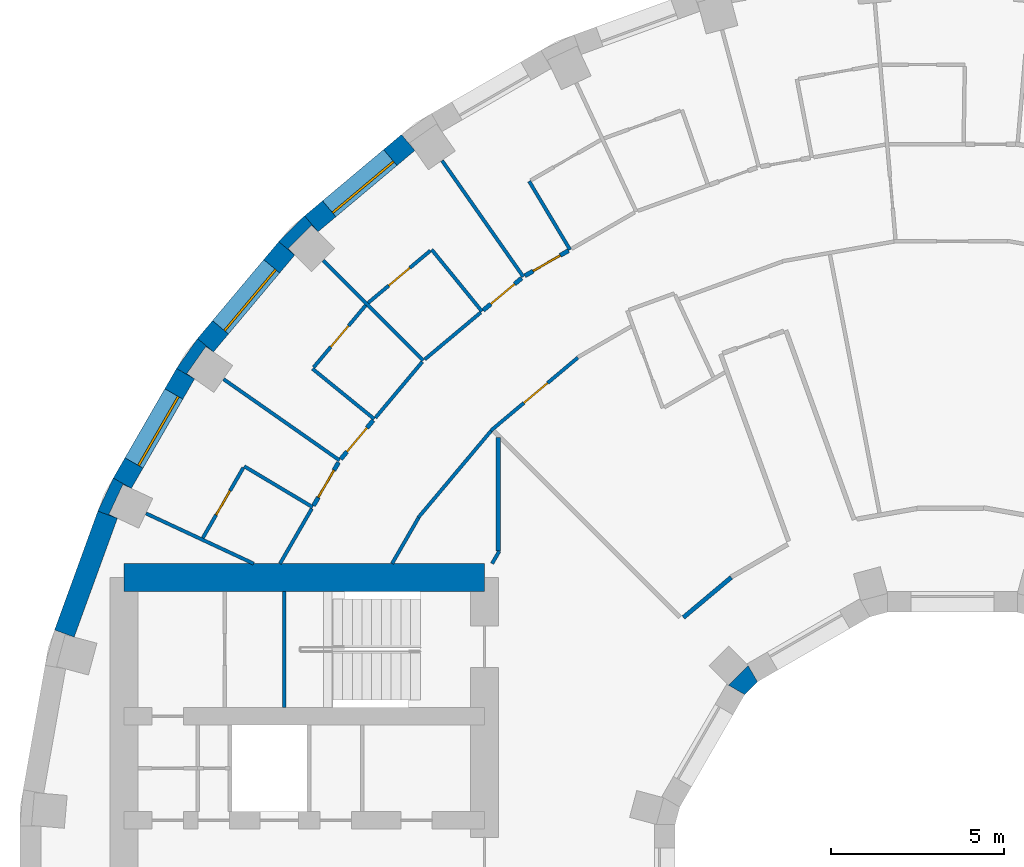
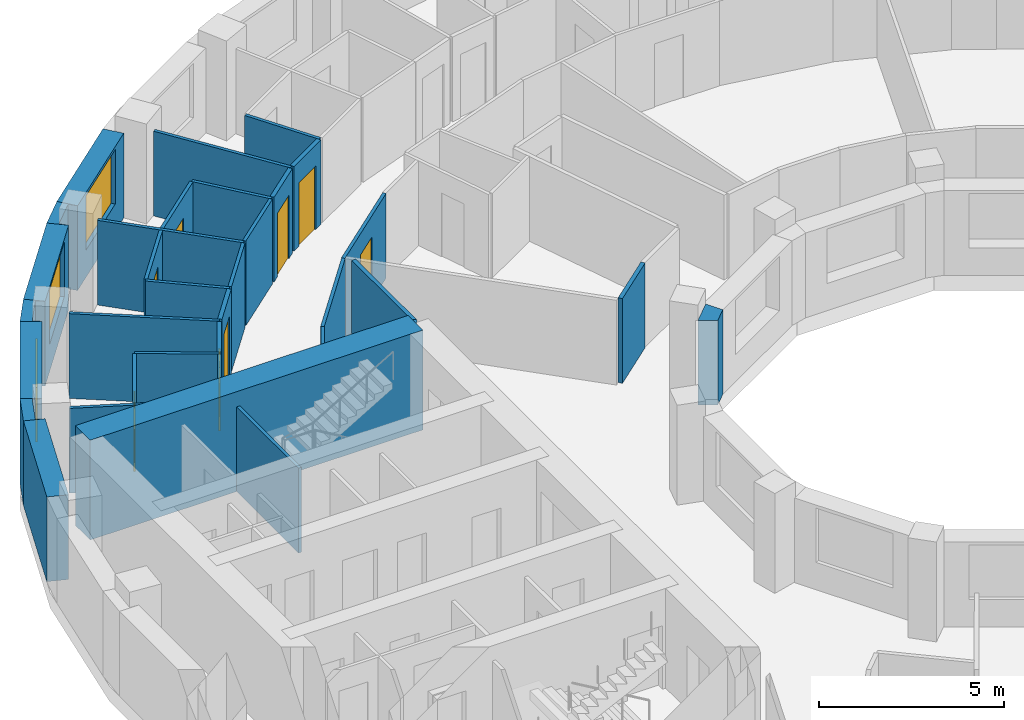
# One storey, part 9 of 14: 34 walls, 8 doors, 3 windows, 11 openings.
"""IFC4 building model written with IfcOpenShell, lengths in metres."""

from ifc_helpers import new_model, si_unit, direction, frame, frame_2d, origin, place, context, subcontext, project, spatial, polyline, rectangle, outline, extrude, material, layer, layer_set, type_object, element, fill, save


model = new_model("IFC4")

# Units and contexts
model_context = context("Model", 3, precision=1e-05, world=origin(), true_north=direction((0.0, 1.0)))
body_context = subcontext(model_context, "Body", "Model", "MODEL_VIEW")
ifc_project = project(units=[si_unit("LENGTHUNIT", "METRE"), si_unit("AREAUNIT", "SQUARE_METRE"), si_unit("VOLUMEUNIT", "CUBIC_METRE"), si_unit("PLANEANGLEUNIT", "RADIAN"), si_unit("MASSUNIT", "GRAM", prefix="KILO")], contexts=[model_context])

# Site, building, storey
site_placement = place(None, origin())
site = spatial("IfcSite", under=ifc_project, at=site_placement, CompositionType="ELEMENT")
building_placement = place(site_placement, origin())
building = spatial("IfcBuilding", under=site, at=building_placement, Name="Saqina Gate Tower", CompositionType="ELEMENT")
storey_placement = place(building_placement, frame((0.0, 0.0, 131.5)))
storey = spatial("IfcBuildingStorey", under=building, at=storey_placement, Name="L37", CompositionType="ELEMENT", Elevation=131.5)

# Walls
ifc_material_1 = material(Name="Brick masonry (buff)", Category="masonry")
wall_type_1 = type_object("IfcWallType", Name="BRICK PIER COPING BUFF", PredefinedType="SOLIDWALL", material=ifc_material_1)
wall_1_placement = place(storey_placement, origin())
element("IfcWall", 1, at=wall_1_placement, inside=storey, type_object=wall_type_1, Name="Pier cap L37 column 14", PredefinedType="SOLIDWALL", context=body_context, shape_type="SweptSolid", body=[
    extrude(outline(polyline([(-18.686279296875, 19.43212890625), (-19.43212890625, 18.686279296875), (-18.972412109375, 18.30078125), (-19.16259765625, 18.49072265625), (-18.49072265625, 19.16259765625), (-18.30078125, 18.972412109375), (-18.686279296875, 19.43212890625)])), origin(), (0.0, 0.0, 1.0), 2.800048828125),
])
wall_2_placement = place(storey_placement, origin())
element("IfcWall", 2, at=wall_2_placement, inside=storey, type_object=wall_type_1, Name="Pier cap L37 column 15", PredefinedType="SOLIDWALL", context=body_context, shape_type="SweptSolid", body=[
    extrude(outline(polyline([(-22.3818359375, 15.0283203125), (-21.862060546875, 14.728271484375), (-22.08251953125, 14.88232421875), (-21.53759765625, 15.66064453125), (-21.317138671875, 15.50634765625), (-21.77685546875, 15.89208984375), (-22.3818359375, 15.0283203125)])), origin(), (0.0, 0.0, 1.0), 2.800048828125),
])
wall_3_placement = place(storey_placement, origin())
element("IfcWall", 3, at=wall_3_placement, inside=storey, type_object=wall_type_1, Name="Pier cap L37 column 16", PredefinedType="SOLIDWALL", context=body_context, shape_type="SweptSolid", body=[
    extrude(outline(polyline([(-24.6513671875, 10.913330078125), (-24.08740234375, 10.7080078125), (-24.331298828125, 10.82177734375), (-23.9296875, 11.6826171875), (-23.68603515625, 11.569091796875), (-24.205810546875, 11.869140625), (-24.6513671875, 10.913330078125)])), origin(), (0.0, 0.0, 1.0), 2.800048828125),
])

# Wall, opening, window
ifc_material_2 = material(Name="Brick masonry (buff)", Category="masonry")
ifc_layer_1 = layer(ifc_material_2, 0.60009765625)
ifc_layer_set_1 = layer_set([ifc_layer_1], Name="FW-BRICK-BUFF")
wall_type_2 = type_object("IfcWallType", Name="FW-BRICK-BUFF", PredefinedType="SOLIDWALL", material=ifc_layer_set_1)
wall_4_placement = place(storey_placement, frame((-15.69921875, 21.547119140625, 0.0), z_axis=(0.0, 0.0, 1.0), x_axis=(-0.766055462616, -0.642774476932, 0.0)))
wall_4 = element("IfcWall", 4, at=wall_4_placement, inside=storey, type_object=wall_type_2, Name="Facade wall L37 facet 13", PredefinedType="SOLIDWALL", context=body_context, shape_type="SweptSolid", body=[
    extrude(rectangle(XDim=3.647705078125, YDim=0.60009765625, at=frame_2d((1.82373046875, 0.0))), origin(), (0.0, 0.0, 1.0), 2.800048828125),
])
opening_1_placement = place(wall_4_placement, frame((0.673828125, 0.0, 0.89990234375)))
opening_1 = element("IfcOpeningElement", 5, at=opening_1_placement, cuts=wall_4, Name="Opening G11-W11", PredefinedType="OPENING", context=body_context, shape_type="SweptSolid", body=[
    extrude(rectangle(XDim=2.300048828125, YDim=1.800048828125, at=frame_2d((1.14990234375, 0.89990234375))), frame((0.0, 0.31201171875, 0.0), z_axis=(0.0, -1.0, 0.0), x_axis=(1.0, 0.0, 0.0)), (0.0, 0.0, 1.0), 0.6240234375),
])
ifc_material_3 = material(Name="Aluminium glazing", Category="aluminium")
window_type = type_object("IfcWindowType", Name="WN-B", PartitioningType="SINGLE_PANEL", PredefinedType="WINDOW", material=ifc_material_3)
window_1_placement = place(opening_1_placement, origin())
window_1 = element("IfcWindow", 6, at=window_1_placement, inside=storey, type_object=window_type, Name="Window L37 facet 13", OverallHeight=1.800048828125, OverallWidth=2.300048828125, PartitioningType="SINGLE_PANEL", PredefinedType="WINDOW", context=body_context, shape_type="SweptSolid", body=[
    extrude(rectangle(XDim=2.300048828125, YDim=1.800048828125, at=frame_2d((1.14990234375, 0.89990234375))), frame((0.0, 0.179931640625, 0.0), z_axis=(0.0, -1.0, 0.0), x_axis=(1.0, 0.0, 0.0)), (0.0, 0.0, 1.0), 0.06005859375),
])
fill(opening_1, window_1)

wall_5_placement = place(storey_placement, frame((-19.202392578125, 18.49365234375, 0.0), z_axis=(0.0, 0.0, 1.0), x_axis=(-0.642774476932, -0.766055462616, 0.0)))
wall_5 = element("IfcWall", 7, at=wall_5_placement, inside=storey, type_object=wall_type_2, Name="Facade wall L37 facet 14", PredefinedType="SOLIDWALL", context=body_context, shape_type="SweptSolid", body=[
    extrude(rectangle(XDim=3.647705078125, YDim=0.60009765625, at=frame_2d((1.82373046875, 0.0))), origin(), (0.0, 0.0, 1.0), 2.800048828125),
])
opening_2_placement = place(wall_5_placement, frame((0.673828125, 0.0, 0.89990234375)))
opening_2 = element("IfcOpeningElement", 8, at=opening_2_placement, cuts=wall_5, Name="Opening G11-W12", PredefinedType="OPENING", context=body_context, shape_type="SweptSolid", body=[
    extrude(rectangle(XDim=2.300048828125, YDim=1.800048828125, at=frame_2d((1.14990234375, 0.89990234375))), frame((0.0, 0.31201171875, 0.0), z_axis=(0.0, -1.0, 0.0), x_axis=(1.0, 0.0, 0.0)), (0.0, 0.0, 1.0), 0.6240234375),
])
window_2_placement = place(opening_2_placement, origin())
window_2 = element("IfcWindow", 9, at=window_2_placement, inside=storey, type_object=window_type, Name="Window L37 facet 14", OverallHeight=1.800048828125, OverallWidth=2.300048828125, PartitioningType="SINGLE_PANEL", PredefinedType="WINDOW", context=body_context, shape_type="SweptSolid", body=[
    extrude(rectangle(XDim=2.300048828125, YDim=1.800048828125, at=frame_2d((1.14990234375, 0.89990234375))), frame((0.0, 0.179931640625, 0.0), z_axis=(0.0, -1.0, 0.0), x_axis=(1.0, 0.0, 0.0)), (0.0, 0.0, 1.0), 0.06005859375),
])
fill(opening_2, window_2)

wall_6_placement = place(storey_placement, frame((-22.1220703125, 14.878173828125, 0.0), z_axis=(0.0, 0.0, 1.0), x_axis=(-0.499954196102, -0.866051847062, 0.0)))
wall_6 = element("IfcWall", 10, at=wall_6_placement, inside=storey, type_object=wall_type_2, Name="Facade wall L37 facet 15", PredefinedType="SOLIDWALL", context=body_context, shape_type="SweptSolid", body=[
    extrude(rectangle(XDim=3.647705078125, YDim=0.60009765625, at=frame_2d((1.82373046875, 0.0))), origin(), (0.0, 0.0, 1.0), 2.800048828125),
])
opening_3_placement = place(wall_6_placement, frame((0.673828125, 0.0, 0.89990234375)))
opening_3 = element("IfcOpeningElement", 11, at=opening_3_placement, cuts=wall_6, Name="Opening G11-W13", PredefinedType="OPENING", context=body_context, shape_type="SweptSolid", body=[
    extrude(rectangle(XDim=2.300048828125, YDim=1.800048828125, at=frame_2d((1.14990234375, 0.89990234375))), frame((0.0, 0.31201171875, 0.0), z_axis=(0.0, -1.0, 0.0), x_axis=(1.0, 0.0, 0.0)), (0.0, 0.0, 1.0), 0.6240234375),
])
window_3_placement = place(opening_3_placement, origin())
window_3 = element("IfcWindow", 12, at=window_3_placement, inside=storey, type_object=window_type, Name="Window L37 facet 15", OverallHeight=1.800048828125, OverallWidth=2.300048828125, PartitioningType="SINGLE_PANEL", PredefinedType="WINDOW", context=body_context, shape_type="SweptSolid", body=[
    extrude(rectangle(XDim=2.300048828125, YDim=1.800048828125, at=frame_2d((1.14990234375, 0.89990234375))), frame((0.0, 0.179931640625, 0.0), z_axis=(0.0, -1.0, 0.0), x_axis=(1.0, 0.0, 0.0)), (0.0, 0.0, 1.0), 0.06005859375),
])
fill(opening_3, window_3)

# Walls
ifc_material_4 = material(Name="Glazed ceramic tile", Category="ceramic")
ifc_layer_2 = layer(ifc_material_4, 0.60009765625)
ifc_layer_set_2 = layer_set([ifc_layer_2], Name="FW-TILE")
wall_type_3 = type_object("IfcWallType", Name="FW-TILE", PredefinedType="SOLIDWALL", material=ifc_layer_set_2)
wall_7_placement = place(storey_placement, frame((-24.369384765625, 10.810791015625, 0.0), z_axis=(0.0, 0.0, 1.0), x_axis=(-0.341990236633, -0.939703505393, 0.0)))
element("IfcWall", 13, at=wall_7_placement, inside=storey, type_object=wall_type_3, Name="Facade wall L37 facet 16", PredefinedType="SOLIDWALL", context=body_context, shape_type="SweptSolid", body=[
    extrude(rectangle(XDim=3.64794921875, YDim=0.60009765625, at=frame_2d((1.823974609375, 0.0))), origin(), (0.0, 0.0, 1.0), 2.800048828125),
])
ifc_material_5 = material(Name="Gypsum board on steel studs, 100 mm", Category="steel")
ifc_layer_3 = layer(ifc_material_5, 0.10009765625)
ifc_layer_set_3 = layer_set([ifc_layer_3], Name="PARTITION 100")
wall_type_4 = type_object("IfcWallType", Name="PARTITION 100", PredefinedType="PARTITIONING", material=ifc_layer_set_3)
wall_8_placement = place(storey_placement, frame((-12.208984375, 20.429931640625, 0.0), z_axis=(0.0, 0.0, 1.0), x_axis=(0.512902991174, -0.858446574718, 0.0)))
element("IfcWall", 14, at=wall_8_placement, inside=storey, type_object=wall_type_4, Name="PARTITION PW3-17", PredefinedType="PARTITIONING", context=body_context, shape_type="SweptSolid", body=[
    extrude(rectangle(XDim=2.300537109375, YDim=0.10009765625, at=frame_2d((1.150390625, 0.0))), origin(), (0.0, 0.0, 1.0), 2.800048828125),
])
wall_9_placement = place(storey_placement, frame((-14.720703125, 21.023681640625, 0.0), z_axis=(0.0, 0.0, 1.0), x_axis=(0.573638785945, -0.819108383097, 0.0)))
element("IfcWall", 15, at=wall_9_placement, inside=storey, type_object=wall_type_4, Name="PARTITION PW3-18", PredefinedType="PARTITIONING", context=body_context, shape_type="SweptSolid", body=[
    extrude(rectangle(XDim=4.085693359375, YDim=0.10009765625, at=frame_2d((2.04296875, 0.0))), origin(), (0.0, 0.0, 1.0), 2.800048828125),
])
wall_10_placement = place(storey_placement, frame((-15.02197265625, 18.4599609375, 0.0), z_axis=(0.0, 0.0, 1.0), x_axis=(0.6312357633, -0.775591007639, 0.0)))
element("IfcWall", 16, at=wall_10_placement, inside=storey, type_object=wall_type_4, Name="PARTITION PW3-19", PredefinedType="PARTITIONING", context=body_context, shape_type="SweptSolid", body=[
    extrude(rectangle(XDim=2.300048828125, YDim=0.10009765625, at=frame_2d((1.14990234375, 0.0))), origin(), (0.0, 0.0, 1.0), 2.800048828125),
])
wall_11_placement = place(storey_placement, frame((-18.14794921875, 18.14794921875, 0.0), z_axis=(0.0, 0.0, 1.0), x_axis=(0.707106781187, -0.707106781187, 0.0)))
element("IfcWall", 17, at=wall_11_placement, inside=storey, type_object=wall_type_4, Name="PARTITION PW3-21", PredefinedType="PARTITIONING", context=body_context, shape_type="SweptSolid", body=[
    extrude(rectangle(XDim=4.08544921875, YDim=0.10009765625, at=frame_2d((2.042724609375, 0.0))), origin(), (0.0, 0.0, 1.0), 2.800048828125),
])
wall_12_placement = place(storey_placement, frame((-18.4599609375, 15.02197265625, 0.0), z_axis=(0.0, 0.0, 1.0), x_axis=(0.775591007639, -0.6312357633, 0.0)))
element("IfcWall", 18, at=wall_12_placement, inside=storey, type_object=wall_type_4, Name="PARTITION PW3-24", PredefinedType="PARTITIONING", context=body_context, shape_type="SweptSolid", body=[
    extrude(rectangle(XDim=2.300048828125, YDim=0.10009765625, at=frame_2d((1.14990234375, 0.0))), origin(), (0.0, 0.0, 1.0), 2.800048828125),
])
wall_13_placement = place(storey_placement, frame((-21.023681640625, 14.720703125, 0.0), z_axis=(0.0, 0.0, 1.0), x_axis=(0.819108383097, -0.573638785945, 0.0)))
element("IfcWall", 19, at=wall_13_placement, inside=storey, type_object=wall_type_4, Name="PARTITION PW3-25", PredefinedType="PARTITIONING", context=body_context, shape_type="SweptSolid", body=[
    extrude(rectangle(XDim=4.085693359375, YDim=0.10009765625, at=frame_2d((2.04296875, 0.0))), origin(), (0.0, 0.0, 1.0), 2.800048828125),
])
wall_14_placement = place(storey_placement, frame((-20.429931640625, 12.208984375, 0.0), z_axis=(0.0, 0.0, 1.0), x_axis=(0.858446574718, -0.512902991174, 0.0)))
element("IfcWall", 20, at=wall_14_placement, inside=storey, type_object=wall_type_4, Name="PARTITION PW3-26", PredefinedType="PARTITIONING", context=body_context, shape_type="SweptSolid", body=[
    extrude(rectangle(XDim=2.300537109375, YDim=0.10009765625, at=frame_2d((1.150390625, 0.0))), origin(), (0.0, 0.0, 1.0), 2.800048828125),
])
wall_15_placement = place(storey_placement, frame((-23.260009765625, 10.84716796875, 0.0), z_axis=(0.0, 0.0, 1.0), x_axis=(0.906223222272, -0.422799564114, 0.0)))
element("IfcWall", 21, at=wall_15_placement, inside=storey, type_object=wall_type_4, Name="PARTITION PW3-28", PredefinedType="PARTITIONING", context=body_context, shape_type="SweptSolid", body=[
    extrude(rectangle(XDim=3.423095703125, YDim=0.10009765625, at=frame_2d((1.71142578125, 0.0))), origin(), (0.0, 0.0, 1.0), 2.800048828125),
])

# Wall, opening, door
wall_16_placement = place(storey_placement, frame((-13.310791015625, 13.2392578125, 0.0), z_axis=(0.0, 0.0, 1.0), x_axis=(0.76586207823, 0.643004881109, 0.0)))
wall_16 = element("IfcWall", 22, at=wall_16_placement, inside=storey, type_object=wall_type_4, Name="PARTITION PW3-64", PredefinedType="PARTITIONING", context=body_context, shape_type="SweptSolid", body=[
    extrude(rectangle(XDim=3.27294921875, YDim=0.10009765625, at=frame_2d((1.636474609375, 0.0))), origin(), (0.0, 0.0, 1.0), 2.800048828125),
])
opening_4_placement = place(wall_16_placement, frame((1.23681640625, 0.0, 0.0)))
opening_4 = element("IfcOpeningElement", 23, at=opening_4_placement, cuts=wall_16, Name="Opening G11-D21", PredefinedType="OPENING", context=body_context, shape_type="SweptSolid", body=[
    extrude(rectangle(XDim=0.89990234375, YDim=2.10009765625, at=frame_2d((0.449951171875, 1.050048828125))), frame((0.0, 0.06201171875, 0.0), z_axis=(0.0, -1.0, 0.0), x_axis=(1.0, 0.0, 0.0)), (0.0, 0.0, 1.0), 0.1240234375),
])
ifc_material_6 = material(Name="Timber door leaf, 900 mm", Category="wood")
door_type_1 = type_object("IfcDoorType", Name="DOOR 900 TIMBER", OperationType="SINGLE_SWING_LEFT", PredefinedType="DOOR", material=ifc_material_6)
door_1_placement = place(opening_4_placement, frame((0.89990234375, 0.0, 0.0), z_axis=(0.0, 0.0, 1.0), x_axis=(-1.0, 0.0, 0.0)))
door_1 = element("IfcDoor", 24, at=door_1_placement, inside=storey, type_object=door_type_1, Name="DOOR G11-D21", OperationType="SINGLE_SWING_LEFT", OverallHeight=2.10009765625, OverallWidth=0.89990234375, PredefinedType="DOOR", context=body_context, shape_type="SweptSolid", body=[
    extrude(rectangle(XDim=0.89990234375, YDim=2.10009765625, at=frame_2d((0.449951171875, 1.050048828125))), frame((0.0, 0.02490234375, 0.0), z_axis=(0.0, -1.0, 0.0), x_axis=(1.0, 0.0, 0.0)), (0.0, 0.0, 1.0), 0.050048828125),
])
fill(opening_4, door_1)

# Wall
wall_17_placement = place(storey_placement, frame((-15.2197265625, 15.2919921875, 0.0), z_axis=(0.0, 0.0, 1.0), x_axis=(0.766104886508, 0.642715569181, 0.0)))
element("IfcWall", 25, at=wall_17_placement, inside=storey, type_object=wall_type_4, Name="PARTITION PW3-65", PredefinedType="PARTITIONING", context=body_context, shape_type="SweptSolid", body=[
    extrude(rectangle(XDim=2.103271484375, YDim=0.10009765625, at=frame_2d((1.0517578125, 0.0))), origin(), (0.0, 0.0, 1.0), 2.800048828125),
])

# Wall, opening, door
wall_18_placement = place(storey_placement, frame((-16.852783203125, 16.923095703125, 0.0), z_axis=(0.0, 0.0, 1.0), x_axis=(0.765924716163, 0.642930267735, 0.0)))
wall_18 = element("IfcWall", 26, at=wall_18_placement, inside=storey, type_object=wall_type_4, Name="PARTITION PW3-66", PredefinedType="PARTITIONING", context=body_context, shape_type="SweptSolid", body=[
    extrude(rectangle(XDim=2.34033203125, YDim=0.10009765625, at=frame_2d((1.170166015625, 0.0))), origin(), (0.0, 0.0, 1.0), 2.800048828125),
])
opening_5_placement = place(wall_18_placement, frame((0.77001953125, 0.0, 0.0)))
opening_5 = element("IfcOpeningElement", 27, at=opening_5_placement, cuts=wall_18, Name="Opening G11-D22", PredefinedType="OPENING", context=body_context, shape_type="SweptSolid", body=[
    extrude(rectangle(XDim=0.800048828125, YDim=2.10009765625, at=frame_2d((0.39990234375, 1.050048828125))), frame((0.0, 0.06201171875, 0.0), z_axis=(0.0, -1.0, 0.0), x_axis=(1.0, 0.0, 0.0)), (0.0, 0.0, 1.0), 0.1240234375),
])
ifc_material_7 = material(Name="Timber door leaf, 800 mm", Category="wood")
door_type_2 = type_object("IfcDoorType", Name="DOOR 800 TIMBER", OperationType="SINGLE_SWING_LEFT", PredefinedType="DOOR", material=ifc_material_7)
door_2_placement = place(opening_5_placement, origin())
door_2 = element("IfcDoor", 28, at=door_2_placement, inside=storey, type_object=door_type_2, Name="DOOR G11-D22", OperationType="SINGLE_SWING_LEFT", OverallHeight=2.10009765625, OverallWidth=0.800048828125, PredefinedType="DOOR", context=body_context, shape_type="SweptSolid", body=[
    extrude(rectangle(XDim=0.800048828125, YDim=2.10009765625, at=frame_2d((0.39990234375, 1.050048828125))), frame((0.0, 0.02490234375, 0.0), z_axis=(0.0, -1.0, 0.0), x_axis=(1.0, 0.0, 0.0)), (0.0, 0.0, 1.0), 0.050048828125),
])
fill(opening_5, door_2)

# Walls
wall_19_placement = place(storey_placement, frame((-15.40869140625, 10.72705078125, 0.0), z_axis=(0.0, 0.0, 1.0), x_axis=(0.643004881109, 0.76586207823, 0.0)))
element("IfcWall", 29, at=wall_19_placement, inside=storey, type_object=wall_type_4, Name="PARTITION PW3-69", PredefinedType="PARTITIONING", context=body_context, shape_type="SweptSolid", body=[
    extrude(rectangle(XDim=3.27294921875, YDim=0.10009765625, at=frame_2d((1.636474609375, 0.0))), origin(), (0.0, 0.0, 1.0), 2.800048828125),
])
wall_20_placement = place(storey_placement, frame((-16.643798828125, 13.6083984375, 0.0), z_axis=(0.0, 0.0, 1.0), x_axis=(0.642715569181, 0.766104886508, 0.0)))
element("IfcWall", 30, at=wall_20_placement, inside=storey, type_object=wall_type_4, Name="PARTITION PW3-70", PredefinedType="PARTITIONING", context=body_context, shape_type="SweptSolid", body=[
    extrude(rectangle(XDim=2.103271484375, YDim=0.10009765625, at=frame_2d((1.0517578125, 0.0))), origin(), (0.0, 0.0, 1.0), 2.800048828125),
])

# Wall, opening, door
wall_21_placement = place(storey_placement, frame((-18.427734375, 15.060302734375, 0.0), z_axis=(0.0, 0.0, 1.0), x_axis=(0.642930267735, 0.765924716163, 0.0)))
wall_21 = element("IfcWall", 31, at=wall_21_placement, inside=storey, type_object=wall_type_4, Name="PARTITION PW3-71", PredefinedType="PARTITIONING", context=body_context, shape_type="SweptSolid", body=[
    extrude(rectangle(XDim=2.34033203125, YDim=0.10009765625, at=frame_2d((1.170166015625, 0.0))), origin(), (0.0, 0.0, 1.0), 2.800048828125),
])
opening_6_placement = place(wall_21_placement, frame((0.77001953125, 0.0, 0.0)))
opening_6 = element("IfcOpeningElement", 32, at=opening_6_placement, cuts=wall_21, Name="Opening G11-D23", PredefinedType="OPENING", context=body_context, shape_type="SweptSolid", body=[
    extrude(rectangle(XDim=0.800048828125, YDim=2.10009765625, at=frame_2d((0.39990234375, 1.050048828125))), frame((0.0, 0.06201171875, 0.0), z_axis=(0.0, -1.0, 0.0), x_axis=(1.0, 0.0, 0.0)), (0.0, 0.0, 1.0), 0.1240234375),
])
door_3_placement = place(opening_6_placement, origin())
door_3 = element("IfcDoor", 33, at=door_3_placement, inside=storey, type_object=door_type_2, Name="DOOR G11-D23", OperationType="SINGLE_SWING_LEFT", OverallHeight=2.10009765625, OverallWidth=0.800048828125, PredefinedType="DOOR", context=body_context, shape_type="SweptSolid", body=[
    extrude(rectangle(XDim=0.800048828125, YDim=2.10009765625, at=frame_2d((0.39990234375, 1.050048828125))), frame((0.0, 0.02490234375, 0.0), z_axis=(0.0, -1.0, 0.0), x_axis=(1.0, 0.0, 0.0)), (0.0, 0.0, 1.0), 0.050048828125),
])
fill(opening_6, door_3)

# Walls
wall_22_placement = place(storey_placement, frame((-16.1640625, 9.39990234375, 0.0), z_axis=(0.0, 0.0, 1.0), x_axis=(0.499750133086, 0.866169616461, 0.0)))
element("IfcWall", 34, at=wall_22_placement, inside=storey, type_object=wall_type_4, Name="PARTITION PW3-75", PredefinedType="PARTITIONING", context=body_context, shape_type="SweptSolid", body=[
    extrude(rectangle(XDim=1.527099609375, YDim=0.10009765625, at=frame_2d((0.763671875, 0.0))), origin(), (0.0, 0.0, 1.0), 2.800048828125),
])
wall_23_placement = place(storey_placement, frame((-19.39599609375, 9.39990234375, 0.0), z_axis=(0.0, 0.0, 1.0), x_axis=(0.500210961829, 0.865903570651, 0.0)))
element("IfcWall", 35, at=wall_23_placement, inside=storey, type_object=wall_type_4, Name="PARTITION PW3-76", PredefinedType="PARTITIONING", context=body_context, shape_type="SweptSolid", body=[
    extrude(rectangle(XDim=1.831298828125, YDim=0.10009765625, at=frame_2d((0.91552734375, 0.0))), origin(), (0.0, 0.0, 1.0), 2.800048828125),
])

# Wall, opening, door
wall_24_placement = place(storey_placement, frame((-21.625, 10.139404296875, 0.0), z_axis=(0.0, 0.0, 1.0), x_axis=(0.499999433879, 0.866025730634, 0.0)))
wall_24 = element("IfcWall", 36, at=wall_24_placement, inside=storey, type_object=wall_type_4, Name="PARTITION PW3-77", PredefinedType="PARTITIONING", context=body_context, shape_type="SweptSolid", body=[
    extrude(rectangle(XDim=2.33984375, YDim=0.10009765625, at=frame_2d((1.169921875, 0.0))), origin(), (0.0, 0.0, 1.0), 2.800048828125),
])
opening_7_placement = place(wall_24_placement, frame((0.77001953125, 0.0, 0.0)))
opening_7 = element("IfcOpeningElement", 37, at=opening_7_placement, cuts=wall_24, Name="Opening G11-D26", PredefinedType="OPENING", context=body_context, shape_type="SweptSolid", body=[
    extrude(rectangle(XDim=0.800048828125, YDim=2.10009765625, at=frame_2d((0.39990234375, 1.050048828125))), frame((0.0, 0.06201171875, 0.0), z_axis=(0.0, -1.0, 0.0), x_axis=(1.0, 0.0, 0.0)), (0.0, 0.0, 1.0), 0.1240234375),
])
door_4_placement = place(opening_7_placement, origin())
door_4 = element("IfcDoor", 38, at=door_4_placement, inside=storey, type_object=door_type_2, Name="DOOR G11-D26", OperationType="SINGLE_SWING_RIGHT", OverallHeight=2.10009765625, OverallWidth=0.800048828125, PredefinedType="DOOR", context=body_context, shape_type="SweptSolid", body=[
    extrude(rectangle(XDim=0.800048828125, YDim=2.10009765625, at=frame_2d((0.39990234375, 1.050048828125))), frame((0.0, 0.02490234375, 0.0), z_axis=(0.0, -1.0, 0.0), x_axis=(1.0, 0.0, 0.0)), (0.0, 0.0, 1.0), 0.050048828125),
])
fill(opening_7, door_4)

# Wall
wall_25_placement = place(storey_placement, frame((-13.278076171875, 9.40087890625, 0.0), z_axis=(0.0, 0.0, 1.0), x_axis=(0.498991260101, 0.866607017248, 0.0)))
element("IfcWall", 39, at=wall_25_placement, inside=storey, type_object=wall_type_4, Name="PARTITION PW3-78", PredefinedType="PARTITIONING", context=body_context, shape_type="SweptSolid", body=[
    extrude(rectangle(XDim=0.414306640625, YDim=0.10009765625, at=frame_2d((0.20703125, 0.0))), origin(), (0.0, 0.0, 1.0), 2.800048828125),
])

# Wall, opening, door
ifc_material_8 = material(Name="Gypsum board on steel studs, 125 mm, fire rated", Category="steel")
ifc_layer_4 = layer(ifc_material_8, 0.125)
ifc_layer_set_4 = layer_set([ifc_layer_4], Name="PARTITION EI 30 125")
wall_type_5 = type_object("IfcWallType", Name="PARTITION EI 30 125", PredefinedType="PARTITIONING", material=ifc_layer_set_4)
wall_26_placement = place(storey_placement, frame((-12.333740234375, 17.701904296875, 0.0), z_axis=(0.0, 0.0, 1.0), x_axis=(0.866110229381, 0.499853048967, 0.0)))
wall_26 = element("IfcWall", 40, at=wall_26_placement, inside=storey, type_object=wall_type_5, Name="PARTITION PW1-33", PredefinedType="PARTITIONING", context=body_context, shape_type="SweptSolid", body=[
    extrude(rectangle(XDim=1.45654296875, YDim=0.125, at=frame_2d((0.728271484375, 0.0))), origin(), (0.0, 0.0, 1.0), 2.800048828125),
])
opening_8_placement = place(wall_26_placement, frame((0.2783203125, 0.0, 0.0)))
opening_8 = element("IfcOpeningElement", 41, at=opening_8_placement, cuts=wall_26, Name="Opening G11-D19", PredefinedType="OPENING", context=body_context, shape_type="SweptSolid", body=[
    extrude(rectangle(XDim=0.89990234375, YDim=2.10009765625, at=frame_2d((0.449951171875, 1.050048828125))), frame((0.0, 0.074462890625, 0.0), z_axis=(0.0, -1.0, 0.0), x_axis=(1.0, 0.0, 0.0)), (0.0, 0.0, 1.0), 0.14892578125),
])
ifc_material_9 = material(Name="Fire door leaf EI 30, 900 mm")
door_type_3 = type_object("IfcDoorType", Name="DOOR 900 EI 30", OperationType="SINGLE_SWING_LEFT", PredefinedType="DOOR", material=ifc_material_9)
door_5_placement = place(opening_8_placement, frame((0.89990234375, 0.0, 0.0), z_axis=(0.0, 0.0, 1.0), x_axis=(-1.0, 0.0, 0.0)))
door_5 = element("IfcDoor", 42, at=door_5_placement, inside=storey, type_object=door_type_3, Name="DOOR G11-D19", OperationType="SINGLE_SWING_RIGHT", OverallHeight=2.10009765625, OverallWidth=0.89990234375, PredefinedType="DOOR", context=body_context, shape_type="SweptSolid", body=[
    extrude(rectangle(XDim=0.89990234375, YDim=2.10009765625, at=frame_2d((0.449951171875, 1.050048828125))), frame((0.0, 0.02490234375, 0.0), z_axis=(0.0, -1.0, 0.0), x_axis=(1.0, 0.0, 0.0)), (0.0, 0.0, 1.0), 0.050048828125),
])
fill(opening_8, door_5)

# Wall
wall_27_placement = place(storey_placement, frame((-7.759033203125, 7.84619140625, 0.0), z_axis=(0.0, 0.0, 1.0), x_axis=(0.766228152444, 0.64256860988, 0.0)))
element("IfcWall", 43, at=wall_27_placement, inside=storey, type_object=wall_type_5, Name="PARTITION PW1-35", PredefinedType="PARTITIONING", context=body_context, shape_type="SweptSolid", body=[
    extrude(rectangle(XDim=1.800537109375, YDim=0.125, at=frame_2d((0.900390625, 0.0))), origin(), (0.0, 0.0, 1.0), 2.800048828125),
])

# Wall, opening, door
wall_28_placement = place(storey_placement, frame((-13.53173828125, 16.708251953125, 0.0), z_axis=(0.0, 0.0, 1.0), x_axis=(0.766167387458, 0.642641061866, 0.0)))
wall_28 = element("IfcWall", 44, at=wall_28_placement, inside=storey, type_object=wall_type_5, Name="PARTITION PW1-36", PredefinedType="PARTITIONING", context=body_context, shape_type="SweptSolid", body=[
    extrude(rectangle(XDim=1.44482421875, YDim=0.125, at=frame_2d((0.722412109375, 0.0))), origin(), (0.0, 0.0, 1.0), 2.800048828125),
])
opening_9_placement = place(wall_28_placement, frame((0.27880859375, 0.0, 0.0)))
opening_9 = element("IfcOpeningElement", 45, at=opening_9_placement, cuts=wall_28, Name="Opening G11-D20", PredefinedType="OPENING", context=body_context, shape_type="SweptSolid", body=[
    extrude(rectangle(XDim=0.89990234375, YDim=2.10009765625, at=frame_2d((0.449951171875, 1.050048828125))), frame((0.0, 0.074462890625, 0.0), z_axis=(0.0, -1.0, 0.0), x_axis=(1.0, 0.0, 0.0)), (0.0, 0.0, 1.0), 0.14892578125),
])
door_6_placement = place(opening_9_placement, frame((0.89990234375, 0.0, 0.0), z_axis=(0.0, 0.0, 1.0), x_axis=(-1.0, 0.0, 0.0)))
door_6 = element("IfcDoor", 46, at=door_6_placement, inside=storey, type_object=door_type_3, Name="DOOR G11-D20", OperationType="SINGLE_SWING_LEFT", OverallHeight=2.10009765625, OverallWidth=0.89990234375, PredefinedType="DOOR", context=body_context, shape_type="SweptSolid", body=[
    extrude(rectangle(XDim=0.89990234375, YDim=2.10009765625, at=frame_2d((0.449951171875, 1.050048828125))), frame((0.0, 0.02490234375, 0.0), z_axis=(0.0, -1.0, 0.0), x_axis=(1.0, 0.0, 0.0)), (0.0, 0.0, 1.0), 0.050048828125),
])
fill(opening_9, door_6)

wall_29_placement = place(storey_placement, frame((-17.644775390625, 12.415283203125, 0.0), z_axis=(0.0, 0.0, 1.0), x_axis=(0.642669367872, 0.766143644233, 0.0)))
wall_29 = element("IfcWall", 47, at=wall_29_placement, inside=storey, type_object=wall_type_5, Name="PARTITION PW1-39", PredefinedType="PARTITIONING", context=body_context, shape_type="SweptSolid", body=[
    extrude(rectangle(XDim=1.457275390625, YDim=0.125, at=frame_2d((0.728515625, 0.0))), origin(), (0.0, 0.0, 1.0), 2.800048828125),
])
opening_10_placement = place(wall_29_placement, frame((0.27880859375, 0.0, 0.0)))
opening_10 = element("IfcOpeningElement", 48, at=opening_10_placement, cuts=wall_29, Name="Opening G11-D24", PredefinedType="OPENING", context=body_context, shape_type="SweptSolid", body=[
    extrude(rectangle(XDim=0.89990234375, YDim=2.10009765625, at=frame_2d((0.449951171875, 1.050048828125))), frame((0.0, 0.074462890625, 0.0), z_axis=(0.0, -1.0, 0.0), x_axis=(1.0, 0.0, 0.0)), (0.0, 0.0, 1.0), 0.14892578125),
])
door_7_placement = place(opening_10_placement, frame((0.89990234375, 0.0, 0.0), z_axis=(0.0, 0.0, 1.0), x_axis=(-1.0, 0.0, 0.0)))
door_7 = element("IfcDoor", 49, at=door_7_placement, inside=storey, type_object=door_type_3, Name="DOOR G11-D24", OperationType="SINGLE_SWING_RIGHT", OverallHeight=2.10009765625, OverallWidth=0.89990234375, PredefinedType="DOOR", context=body_context, shape_type="SweptSolid", body=[
    extrude(rectangle(XDim=0.89990234375, YDim=2.10009765625, at=frame_2d((0.449951171875, 1.050048828125))), frame((0.0, 0.02490234375, 0.0), z_axis=(0.0, -1.0, 0.0), x_axis=(1.0, 0.0, 0.0)), (0.0, 0.0, 1.0), 0.050048828125),
])
fill(opening_10, door_7)

wall_30_placement = place(storey_placement, frame((-18.429931640625, 11.072265625, 0.0), z_axis=(0.0, 0.0, 1.0), x_axis=(0.499849317439, 0.866112382925, 0.0)))
wall_30 = element("IfcWall", 50, at=wall_30_placement, inside=storey, type_object=wall_type_5, Name="PARTITION PW1-42", PredefinedType="PARTITIONING", context=body_context, shape_type="SweptSolid", body=[
    extrude(rectangle(XDim=1.44384765625, YDim=0.125, at=frame_2d((0.721923828125, 0.0))), origin(), (0.0, 0.0, 1.0), 2.800048828125),
])
opening_11_placement = place(wall_30_placement, frame((0.2783203125, 0.0, 0.0)))
opening_11 = element("IfcOpeningElement", 51, at=opening_11_placement, cuts=wall_30, Name="Opening G11-D25", PredefinedType="OPENING", context=body_context, shape_type="SweptSolid", body=[
    extrude(rectangle(XDim=0.89990234375, YDim=2.10009765625, at=frame_2d((0.449951171875, 1.050048828125))), frame((0.0, 0.074462890625, 0.0), z_axis=(0.0, -1.0, 0.0), x_axis=(1.0, 0.0, 0.0)), (0.0, 0.0, 1.0), 0.14892578125),
])
door_8_placement = place(opening_11_placement, frame((0.89990234375, 0.0, 0.0), z_axis=(0.0, 0.0, 1.0), x_axis=(-1.0, 0.0, 0.0)))
door_8 = element("IfcDoor", 52, at=door_8_placement, inside=storey, type_object=door_type_3, Name="DOOR G11-D25", OperationType="SINGLE_SWING_LEFT", OverallHeight=2.10009765625, OverallWidth=0.89990234375, PredefinedType="DOOR", context=body_context, shape_type="SweptSolid", body=[
    extrude(rectangle(XDim=0.89990234375, YDim=2.10009765625, at=frame_2d((0.449951171875, 1.050048828125))), frame((0.0, 0.02490234375, 0.0), z_axis=(0.0, -1.0, 0.0), x_axis=(1.0, 0.0, 0.0)), (0.0, 0.0, 1.0), 0.050048828125),
])
fill(opening_11, door_8)

# Walls
wall_31_placement = place(storey_placement, frame((-13.10009765625, 9.760009765625, 0.0), z_axis=(0.0, 0.0, 1.0), x_axis=(0.0, 1.0, 0.0)))
element("IfcWall", 53, at=wall_31_placement, inside=storey, type_object=wall_type_5, Name="PARTITION PW1-48", PredefinedType="PARTITIONING", context=body_context, shape_type="SweptSolid", body=[
    extrude(rectangle(XDim=3.2724609375, YDim=0.125, at=frame_2d((1.63623046875, 0.0))), origin(), (0.0, 0.0, 1.0), 2.800048828125),
])
ifc_material_10 = material(Name="Autoclaved aerated concrete block", Category="concrete")
ifc_layer_5 = layer(ifc_material_10, 0.10009765625)
ifc_layer_set_5 = layer_set([ifc_layer_5], Name="STAIR ENCLOSURE WALL")
wall_type_6 = type_object("IfcWallType", Name="STAIR ENCLOSURE WALL", PredefinedType="PARTITIONING", material=ifc_layer_set_5)
wall_32_placement = place(storey_placement, frame((-19.27001953125, 5.25, 0.0), z_axis=(0.0, 0.0, 1.0), x_axis=(0.0, 1.0, 0.0)))
element("IfcWall", 54, at=wall_32_placement, inside=storey, type_object=wall_type_6, Name="L37-CP-W12", PredefinedType="PARTITIONING", context=body_context, shape_type="SweptSolid", body=[
    extrude(rectangle(XDim=3.35009765625, YDim=0.10009765625, at=frame_2d((1.675048828125, 0.0))), origin(), (0.0, 0.0, 1.0), 2.800048828125),
])
ifc_material_11 = material(Name="Concrete C70/85", Category="concrete")
ifc_layer_6 = layer(ifc_material_11, 0.800048828125)
ifc_layer_set_6 = layer_set([ifc_layer_6], Name="Concrete C70/85")
wall_type_7 = type_object("IfcWallType", Name="STR-CORE WALL-B-O", PredefinedType="SHEAR", material=ifc_layer_set_6)
wall_33_placement = place(storey_placement, frame((-13.5, 9.0, 0.0), z_axis=(0.0, 0.0, 1.0), x_axis=(-1.0, 0.0, 0.0)))
element("IfcWall", 55, at=wall_33_placement, inside=storey, type_object=wall_type_7, Name="CORE WALL L37 W-NE", PredefinedType="SHEAR", context=body_context, shape_type="SweptSolid", body=[
    extrude(rectangle(XDim=10.39990234375, YDim=0.800048828125, at=frame_2d((5.199951171875, 0.0))), origin(), (0.0, 0.0, 1.0), 3.300048828125),
])
ifc_material_12 = material(Name="Glazed ceramic tile", Category="ceramic")
wall_type_8 = type_object("IfcWallType", Name="TILE PIER COPING", PredefinedType="SOLIDWALL", material=ifc_material_12)
wall_34_placement = place(storey_placement, origin())
element("IfcWall", 56, at=wall_34_placement, inside=storey, type_object=wall_type_8, Name="Well pier cap L37 column 5", PredefinedType="SOLIDWALL", context=body_context, shape_type="SweptSolid", body=[
    extrude(outline(polyline([(-6.45751953125, 5.891845703125), (-5.991455078125, 5.622802734375), (-5.622802734375, 5.991455078125), (-5.891845703125, 6.45751953125), (-6.45751953125, 5.891845703125)])), origin(), (0.0, 0.0, 1.0), 2.800048828125),
])

save(model, "model.ifc")
